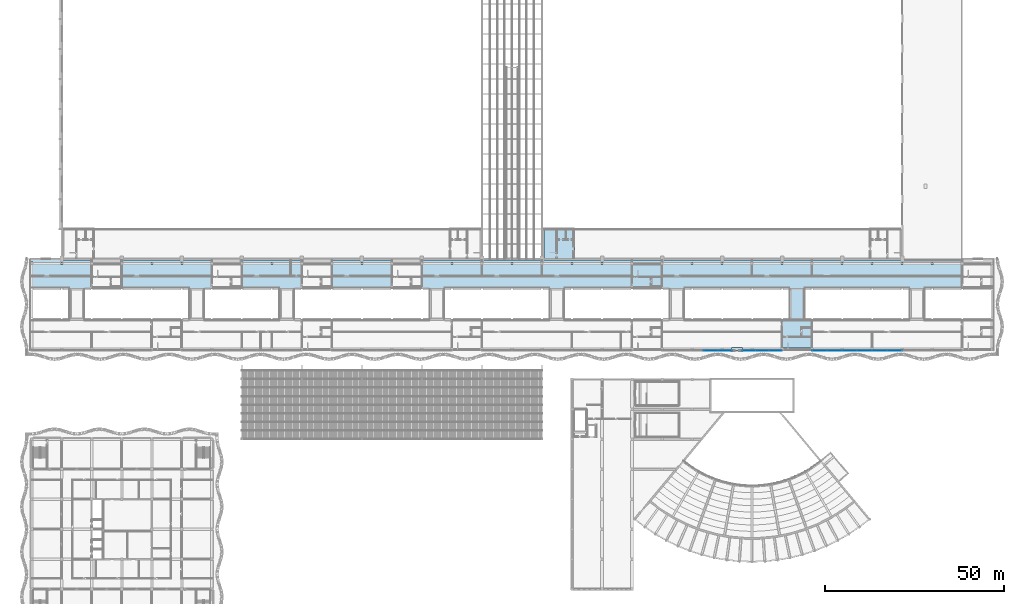
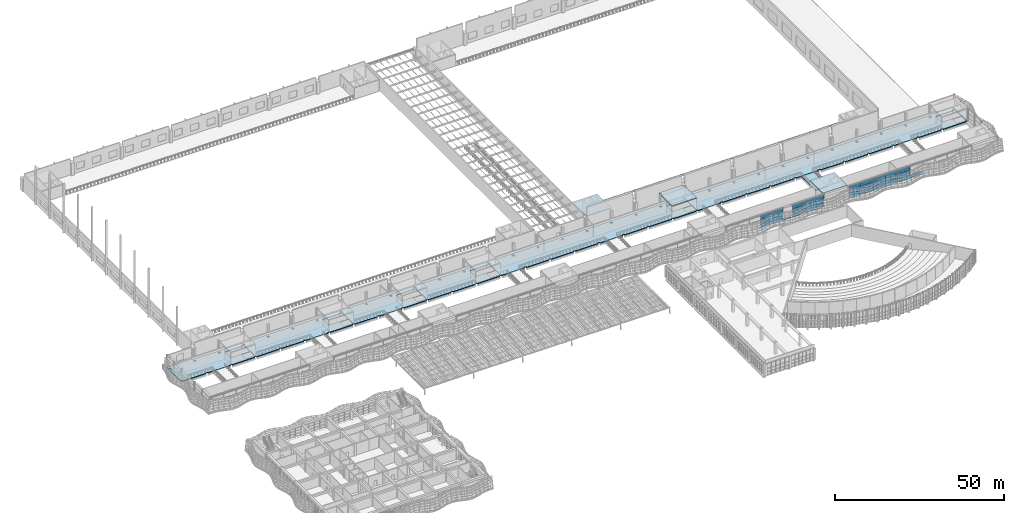
# One storey, part 75 of 162: 31 plates, 6 slabs, 3 elements without a shape of their own.
"""IFC4 building model written with IfcOpenShell, lengths in metres."""

from ifc_helpers import new_model, si_unit, direction, frame, origin, origin_2d, place, context, subcontext, project, spatial, polyline, rectangle, outline, extrude, material, layer, layer_set, type_object, element, aggregate, save


model = new_model("IFC4")

# Units and contexts
model_context = context("Model", 3, precision=1e-05, world=origin(), true_north=direction((0.0, 1.0)))
body_context = subcontext(model_context, "Body", "Model", "MODEL_VIEW")
ifc_project = project(units=[si_unit("LENGTHUNIT", "METRE"), si_unit("AREAUNIT", "SQUARE_METRE"), si_unit("VOLUMEUNIT", "CUBIC_METRE"), si_unit("PLANEANGLEUNIT", "RADIAN"), si_unit("MASSUNIT", "GRAM", prefix="KILO")], contexts=[model_context])

# Site, building, storey
site_placement = place(None, origin())
site = spatial("IfcSite", under=ifc_project, at=site_placement, CompositionType="ELEMENT")
building_placement = place(site_placement, origin())
building = spatial("IfcBuilding", under=site, at=building_placement, Name="Rain Tree Exposition and Congress Centre", CompositionType="ELEMENT")
storey_placement = place(building_placement, frame((0.0, 0.0, 6.0)))
storey = spatial("IfcBuildingStorey", under=building, at=storey_placement, Name="L01", CompositionType="ELEMENT", Elevation=6.0)

# Slabs
ifc_material_1 = material(Name="Precast concrete C50/60", Category="concrete")
ifc_layer_1 = layer(ifc_material_1, 0.300048828125)
ifc_layer_set_1 = layer_set([ifc_layer_1], Name="Precast concrete C50/60")
slab_type_1 = type_object("IfcSlabType", Name="Concourse bridge deck slab 300", PredefinedType="FLOOR", material=ifc_layer_set_1)
slab_1_placement = place(storey_placement, frame((0.0, 0.0, -0.300048828125)))
element("IfcSlab", 1, at=slab_1_placement, inside=storey, type_object=slab_type_1, Name="Concourse bridge deck 7", PredefinedType="FLOOR", context=body_context, shape_type="SweptSolid", body=[
    extrude(outline(polyline([(212.10009765625, 84.0), (216.300048828125, 84.0), (216.300048828125, 92.39990234375), (212.10009765625, 92.39990234375), (212.10009765625, 84.0)])), origin(), (0.0, 0.0, 1.0), 0.300048828125),
])
ifc_material_2 = material(Name="Concrete C40/50", Category="concrete")
ifc_layer_2 = layer(ifc_material_2, 0.300048828125)
ifc_layer_set_2 = layer_set([ifc_layer_2], Name="Concrete C40/50")
slab_type_2 = type_object("IfcSlabType", Name="Concourse core roof slab 300", PredefinedType="ROOF", material=ifc_layer_set_2)
slab_2_placement = place(storey_placement, frame((0.0, 0.0, 4.199951171875)))
element("IfcSlab", 2, at=slab_2_placement, inside=storey, type_object=slab_type_2, Name="Concourse core 5 roof", PredefinedType="ROOF", context=body_context, shape_type="SweptSolid", body=[
    extrude(outline(polyline([(218.425048828125, 83.699951171875), (218.425048828125, 75.949951171875), (218.050048828125, 75.949951171875), (210.35009765625, 75.949951171875), (209.97509765625, 75.949951171875), (209.97509765625, 83.699951171875), (218.425048828125, 83.699951171875)])), origin(), (0.0, 0.0, 1.0), 0.300048828125),
])
slab_3_placement = place(storey_placement, frame((0.0, 0.0, 4.199951171875)))
element("IfcSlab", 3, at=slab_3_placement, inside=storey, type_object=slab_type_2, Name="Concourse core 11 roof", PredefinedType="ROOF", context=body_context, shape_type="SweptSolid", body=[
    extrude(outline(polyline([(176.425048828125, 92.699951171875), (176.10009765625, 92.699951171875), (168.300048828125, 92.699951171875), (167.97509765625, 92.699951171875), (167.97509765625, 99.300048828125), (168.300048828125, 99.300048828125), (168.300048828125, 99.89990234375), (167.97509765625, 99.89990234375), (167.97509765625, 100.5), (176.425048828125, 100.5), (176.425048828125, 99.89990234375), (176.10009765625, 99.89990234375), (176.10009765625, 99.300048828125), (176.425048828125, 99.300048828125), (176.425048828125, 92.699951171875)])), origin(), (0.0, 0.0, 1.0), 0.300048828125),
])

# Curtain wall, plates
ifc_material_3 = material(Name="Aluminium curtain wall system", Category="aluminium")
ifc_layer_3 = layer(ifc_material_3, 0.10009765625)
ifc_layer_set_3 = layer_set([ifc_layer_3], Name="Aluminium curtain wall system")
curtain_wall_type = type_object("IfcCurtainWallType", Name="Concourse curtain wall 4200 module", PredefinedType="NOTDEFINED", material=ifc_layer_set_3)
curtain_wall_1_placement = place(storey_placement, origin())
curtain_wall_1 = element("IfcCurtainWall", 4, at=curtain_wall_1_placement, inside=storey, type_object=curtain_wall_type, Name="Concourse curtain wall CWC26", PredefinedType="NOTDEFINED")
ifc_material_4 = material(Name="Laminated low-e glass", Category="glass")
ifc_layer_4 = layer(ifc_material_4, 0.028076171875)
ifc_layer_set_4 = layer_set([ifc_layer_4], Name="Laminated low-e glass")
plate_type = type_object("IfcPlateType", Name="Concourse curtain wall glass panel 28", PredefinedType="CURTAIN_PANEL", material=ifc_layer_set_4)
plate_1_placement = place(storey_placement, frame((190.050048828125, 75.199951171875, 0.06005859375), z_axis=(0.0, 0.0, 1.0), x_axis=(1.0, 0.0, 0.0)))
plate_1 = element("IfcPlate", 5, at=plate_1_placement, type_object=plate_type, Name="CWC26 panel 4.1", PredefinedType="CURTAIN_PANEL", context=body_context, shape_type="SweptSolid", body=[
    extrude(rectangle(XDim=3.840087890625, YDim=0.028076171875, at=origin_2d()), origin(), (0.0, 0.0, 1.0), 1.409912109375),
])
plate_2_placement = place(storey_placement, frame((190.050048828125, 75.199951171875, 1.530029296875), z_axis=(0.0, 0.0, 1.0), x_axis=(1.0, 0.0, 0.0)))
plate_2 = element("IfcPlate", 6, at=plate_2_placement, type_object=plate_type, Name="CWC26 panel 4.2", PredefinedType="CURTAIN_PANEL", context=body_context, shape_type="SweptSolid", body=[
    extrude(rectangle(XDim=3.840087890625, YDim=0.028076171875, at=origin_2d()), origin(), (0.0, 0.0, 1.0), 1.43994140625),
])
plate_3_placement = place(storey_placement, frame((190.050048828125, 75.199951171875, 3.0302734375), z_axis=(0.0, 0.0, 1.0), x_axis=(1.0, 0.0, 0.0)))
plate_3 = element("IfcPlate", 7, at=plate_3_placement, type_object=plate_type, Name="CWC26 panel 4.3", PredefinedType="CURTAIN_PANEL", context=body_context, shape_type="SweptSolid", body=[
    extrude(rectangle(XDim=3.840087890625, YDim=0.028076171875, at=origin_2d()), origin(), (0.0, 0.0, 1.0), 1.409912109375),
])
plate_4_placement = place(storey_placement, frame((193.93505859375, 75.199951171875, 0.06005859375), z_axis=(0.0, 0.0, 1.0), x_axis=(1.0, 0.0, 0.0)))
plate_4 = element("IfcPlate", 8, at=plate_4_placement, type_object=plate_type, Name="CWC26 panel 5.1", PredefinedType="CURTAIN_PANEL", context=body_context, shape_type="SweptSolid", body=[
    extrude(rectangle(XDim=3.81005859375, YDim=0.028076171875, at=origin_2d()), origin(), (0.0, 0.0, 1.0), 1.409912109375),
])
plate_5_placement = place(storey_placement, frame((193.93505859375, 75.199951171875, 1.530029296875), z_axis=(0.0, 0.0, 1.0), x_axis=(1.0, 0.0, 0.0)))
plate_5 = element("IfcPlate", 9, at=plate_5_placement, type_object=plate_type, Name="CWC26 panel 5.2", PredefinedType="CURTAIN_PANEL", context=body_context, shape_type="SweptSolid", body=[
    extrude(rectangle(XDim=3.81005859375, YDim=0.028076171875, at=origin_2d()), origin(), (0.0, 0.0, 1.0), 1.43994140625),
])
plate_6_placement = place(storey_placement, frame((193.93505859375, 75.199951171875, 3.0302734375), z_axis=(0.0, 0.0, 1.0), x_axis=(1.0, 0.0, 0.0)))
plate_6 = element("IfcPlate", 10, at=plate_6_placement, type_object=plate_type, Name="CWC26 panel 5.3", PredefinedType="CURTAIN_PANEL", context=body_context, shape_type="SweptSolid", body=[
    extrude(rectangle(XDim=3.81005859375, YDim=0.028076171875, at=origin_2d()), origin(), (0.0, 0.0, 1.0), 1.409912109375),
])
aggregate(curtain_wall_1, [plate_1, plate_2, plate_3, plate_4, plate_5, plate_6])

curtain_wall_2_placement = place(storey_placement, origin())
curtain_wall_2 = element("IfcCurtainWall", 11, at=curtain_wall_2_placement, inside=storey, type_object=curtain_wall_type, Name="Concourse curtain wall CWC27", PredefinedType="NOTDEFINED")
plate_7_placement = place(storey_placement, frame((200.764892578125, 75.199951171875, 0.06005859375), z_axis=(0.0, 0.0, 1.0), x_axis=(1.0, 0.0, 0.0)))
plate_7 = element("IfcPlate", 12, at=plate_7_placement, type_object=plate_type, Name="CWC27 panel 1.1", PredefinedType="CURTAIN_PANEL", context=body_context, shape_type="SweptSolid", body=[
    extrude(rectangle(XDim=3.610107421875, YDim=0.028076171875, at=origin_2d()), origin(), (0.0, 0.0, 1.0), 1.409912109375),
])
plate_8_placement = place(storey_placement, frame((200.764892578125, 75.199951171875, 1.530029296875), z_axis=(0.0, 0.0, 1.0), x_axis=(1.0, 0.0, 0.0)))
plate_8 = element("IfcPlate", 13, at=plate_8_placement, type_object=plate_type, Name="CWC27 panel 1.2", PredefinedType="CURTAIN_PANEL", context=body_context, shape_type="SweptSolid", body=[
    extrude(rectangle(XDim=3.610107421875, YDim=0.028076171875, at=origin_2d()), origin(), (0.0, 0.0, 1.0), 1.43994140625),
])
plate_9_placement = place(storey_placement, frame((200.764892578125, 75.199951171875, 3.0302734375), z_axis=(0.0, 0.0, 1.0), x_axis=(1.0, 0.0, 0.0)))
plate_9 = element("IfcPlate", 14, at=plate_9_placement, type_object=plate_type, Name="CWC27 panel 1.3", PredefinedType="CURTAIN_PANEL", context=body_context, shape_type="SweptSolid", body=[
    extrude(rectangle(XDim=3.610107421875, YDim=0.028076171875, at=origin_2d()), origin(), (0.0, 0.0, 1.0), 1.409912109375),
])
plate_10_placement = place(storey_placement, frame((204.449951171875, 75.199951171875, 0.06005859375), z_axis=(0.0, 0.0, 1.0), x_axis=(1.0, 0.0, 0.0)))
plate_10 = element("IfcPlate", 15, at=plate_10_placement, type_object=plate_type, Name="CWC27 panel 2.1", PredefinedType="CURTAIN_PANEL", context=body_context, shape_type="SweptSolid", body=[
    extrude(rectangle(XDim=3.639892578125, YDim=0.028076171875, at=origin_2d()), origin(), (0.0, 0.0, 1.0), 1.409912109375),
])
plate_11_placement = place(storey_placement, frame((204.449951171875, 75.199951171875, 1.530029296875), z_axis=(0.0, 0.0, 1.0), x_axis=(1.0, 0.0, 0.0)))
plate_11 = element("IfcPlate", 16, at=plate_11_placement, type_object=plate_type, Name="CWC27 panel 2.2", PredefinedType="CURTAIN_PANEL", context=body_context, shape_type="SweptSolid", body=[
    extrude(rectangle(XDim=3.639892578125, YDim=0.028076171875, at=origin_2d()), origin(), (0.0, 0.0, 1.0), 1.43994140625),
])
plate_12_placement = place(storey_placement, frame((204.449951171875, 75.199951171875, 3.0302734375), z_axis=(0.0, 0.0, 1.0), x_axis=(1.0, 0.0, 0.0)))
plate_12 = element("IfcPlate", 17, at=plate_12_placement, type_object=plate_type, Name="CWC27 panel 2.3", PredefinedType="CURTAIN_PANEL", context=body_context, shape_type="SweptSolid", body=[
    extrude(rectangle(XDim=3.639892578125, YDim=0.028076171875, at=origin_2d()), origin(), (0.0, 0.0, 1.0), 1.409912109375),
])
plate_13_placement = place(storey_placement, frame((208.135009765625, 75.199951171875, 0.06005859375), z_axis=(0.0, 0.0, 1.0), x_axis=(1.0, 0.0, 0.0)))
plate_13 = element("IfcPlate", 18, at=plate_13_placement, type_object=plate_type, Name="CWC27 panel 3.1", PredefinedType="CURTAIN_PANEL", context=body_context, shape_type="SweptSolid", body=[
    extrude(rectangle(XDim=3.610107421875, YDim=0.028076171875, at=origin_2d()), origin(), (0.0, 0.0, 1.0), 1.409912109375),
])
plate_14_placement = place(storey_placement, frame((208.135009765625, 75.199951171875, 1.530029296875), z_axis=(0.0, 0.0, 1.0), x_axis=(1.0, 0.0, 0.0)))
plate_14 = element("IfcPlate", 19, at=plate_14_placement, type_object=plate_type, Name="CWC27 panel 3.2", PredefinedType="CURTAIN_PANEL", context=body_context, shape_type="SweptSolid", body=[
    extrude(rectangle(XDim=3.610107421875, YDim=0.028076171875, at=origin_2d()), origin(), (0.0, 0.0, 1.0), 1.43994140625),
])
plate_15_placement = place(storey_placement, frame((208.135009765625, 75.199951171875, 3.0302734375), z_axis=(0.0, 0.0, 1.0), x_axis=(1.0, 0.0, 0.0)))
plate_15 = element("IfcPlate", 20, at=plate_15_placement, type_object=plate_type, Name="CWC27 panel 3.3", PredefinedType="CURTAIN_PANEL", context=body_context, shape_type="SweptSolid", body=[
    extrude(rectangle(XDim=3.610107421875, YDim=0.028076171875, at=origin_2d()), origin(), (0.0, 0.0, 1.0), 1.409912109375),
])
aggregate(curtain_wall_2, [plate_7, plate_8, plate_9, plate_10, plate_11, plate_12, plate_13, plate_14, plate_15])

curtain_wall_3_placement = place(storey_placement, origin())
curtain_wall_3 = element("IfcCurtainWall", 21, at=curtain_wall_3_placement, inside=storey, type_object=curtain_wall_type, Name="Concourse curtain wall CWC28", PredefinedType="NOTDEFINED")
plate_16_placement = place(storey_placement, frame((220.514892578125, 75.199951171875, 0.06005859375), z_axis=(0.0, 0.0, 1.0), x_axis=(1.0, 0.0, 0.0)))
plate_16 = element("IfcPlate", 22, at=plate_16_placement, type_object=plate_type, Name="CWC28 panel 1.1", PredefinedType="CURTAIN_PANEL", context=body_context, shape_type="SweptSolid", body=[
    extrude(rectangle(XDim=4.110107421875, YDim=0.028076171875, at=origin_2d()), origin(), (0.0, 0.0, 1.0), 1.409912109375),
])
plate_17_placement = place(storey_placement, frame((220.514892578125, 75.199951171875, 1.530029296875), z_axis=(0.0, 0.0, 1.0), x_axis=(1.0, 0.0, 0.0)))
plate_17 = element("IfcPlate", 23, at=plate_17_placement, type_object=plate_type, Name="CWC28 panel 1.2", PredefinedType="CURTAIN_PANEL", context=body_context, shape_type="SweptSolid", body=[
    extrude(rectangle(XDim=4.110107421875, YDim=0.028076171875, at=origin_2d()), origin(), (0.0, 0.0, 1.0), 1.43994140625),
])
plate_18_placement = place(storey_placement, frame((220.514892578125, 75.199951171875, 3.0302734375), z_axis=(0.0, 0.0, 1.0), x_axis=(1.0, 0.0, 0.0)))
plate_18 = element("IfcPlate", 24, at=plate_18_placement, type_object=plate_type, Name="CWC28 panel 1.3", PredefinedType="CURTAIN_PANEL", context=body_context, shape_type="SweptSolid", body=[
    extrude(rectangle(XDim=4.110107421875, YDim=0.028076171875, at=origin_2d()), origin(), (0.0, 0.0, 1.0), 1.409912109375),
])
plate_19_placement = place(storey_placement, frame((224.699951171875, 75.199951171875, 0.06005859375), z_axis=(0.0, 0.0, 1.0), x_axis=(1.0, 0.0, 0.0)))
plate_19 = element("IfcPlate", 25, at=plate_19_placement, type_object=plate_type, Name="CWC28 panel 2.1", PredefinedType="CURTAIN_PANEL", context=body_context, shape_type="SweptSolid", body=[
    extrude(rectangle(XDim=4.139892578125, YDim=0.028076171875, at=origin_2d()), origin(), (0.0, 0.0, 1.0), 1.409912109375),
])
plate_20_placement = place(storey_placement, frame((224.699951171875, 75.199951171875, 1.530029296875), z_axis=(0.0, 0.0, 1.0), x_axis=(1.0, 0.0, 0.0)))
plate_20 = element("IfcPlate", 26, at=plate_20_placement, type_object=plate_type, Name="CWC28 panel 2.2", PredefinedType="CURTAIN_PANEL", context=body_context, shape_type="SweptSolid", body=[
    extrude(rectangle(XDim=4.139892578125, YDim=0.028076171875, at=origin_2d()), origin(), (0.0, 0.0, 1.0), 1.43994140625),
])
plate_21_placement = place(storey_placement, frame((224.699951171875, 75.199951171875, 3.0302734375), z_axis=(0.0, 0.0, 1.0), x_axis=(1.0, 0.0, 0.0)))
plate_21 = element("IfcPlate", 27, at=plate_21_placement, type_object=plate_type, Name="CWC28 panel 2.3", PredefinedType="CURTAIN_PANEL", context=body_context, shape_type="SweptSolid", body=[
    extrude(rectangle(XDim=4.139892578125, YDim=0.028076171875, at=origin_2d()), origin(), (0.0, 0.0, 1.0), 1.409912109375),
])
plate_22_placement = place(storey_placement, frame((228.89990234375, 75.199951171875, 0.06005859375), z_axis=(0.0, 0.0, 1.0), x_axis=(1.0, 0.0, 0.0)))
plate_22 = element("IfcPlate", 28, at=plate_22_placement, type_object=plate_type, Name="CWC28 panel 3.1", PredefinedType="CURTAIN_PANEL", context=body_context, shape_type="SweptSolid", body=[
    extrude(rectangle(XDim=4.139892578125, YDim=0.028076171875, at=origin_2d()), origin(), (0.0, 0.0, 1.0), 1.409912109375),
])
plate_23_placement = place(storey_placement, frame((228.89990234375, 75.199951171875, 1.530029296875), z_axis=(0.0, 0.0, 1.0), x_axis=(1.0, 0.0, 0.0)))
plate_23 = element("IfcPlate", 29, at=plate_23_placement, type_object=plate_type, Name="CWC28 panel 3.2", PredefinedType="CURTAIN_PANEL", context=body_context, shape_type="SweptSolid", body=[
    extrude(rectangle(XDim=4.139892578125, YDim=0.028076171875, at=origin_2d()), origin(), (0.0, 0.0, 1.0), 1.43994140625),
])
plate_24_placement = place(storey_placement, frame((228.89990234375, 75.199951171875, 3.0302734375), z_axis=(0.0, 0.0, 1.0), x_axis=(1.0, 0.0, 0.0)))
plate_24 = element("IfcPlate", 30, at=plate_24_placement, type_object=plate_type, Name="CWC28 panel 3.3", PredefinedType="CURTAIN_PANEL", context=body_context, shape_type="SweptSolid", body=[
    extrude(rectangle(XDim=4.139892578125, YDim=0.028076171875, at=origin_2d()), origin(), (0.0, 0.0, 1.0), 1.409912109375),
])
plate_25_placement = place(storey_placement, frame((233.10009765625, 75.199951171875, 0.06005859375), z_axis=(0.0, 0.0, 1.0), x_axis=(1.0, 0.0, 0.0)))
plate_25 = element("IfcPlate", 31, at=plate_25_placement, type_object=plate_type, Name="CWC28 panel 4.1", PredefinedType="CURTAIN_PANEL", context=body_context, shape_type="SweptSolid", body=[
    extrude(rectangle(XDim=4.139892578125, YDim=0.028076171875, at=origin_2d()), origin(), (0.0, 0.0, 1.0), 1.409912109375),
])
plate_26_placement = place(storey_placement, frame((233.10009765625, 75.199951171875, 1.530029296875), z_axis=(0.0, 0.0, 1.0), x_axis=(1.0, 0.0, 0.0)))
plate_26 = element("IfcPlate", 32, at=plate_26_placement, type_object=plate_type, Name="CWC28 panel 4.2", PredefinedType="CURTAIN_PANEL", context=body_context, shape_type="SweptSolid", body=[
    extrude(rectangle(XDim=4.139892578125, YDim=0.028076171875, at=origin_2d()), origin(), (0.0, 0.0, 1.0), 1.43994140625),
])
plate_27_placement = place(storey_placement, frame((233.10009765625, 75.199951171875, 3.0302734375), z_axis=(0.0, 0.0, 1.0), x_axis=(1.0, 0.0, 0.0)))
plate_27 = element("IfcPlate", 33, at=plate_27_placement, type_object=plate_type, Name="CWC28 panel 4.3", PredefinedType="CURTAIN_PANEL", context=body_context, shape_type="SweptSolid", body=[
    extrude(rectangle(XDim=4.139892578125, YDim=0.028076171875, at=origin_2d()), origin(), (0.0, 0.0, 1.0), 1.409912109375),
])
plate_28_placement = place(storey_placement, frame((237.300048828125, 75.199951171875, 0.06005859375), z_axis=(0.0, 0.0, 1.0), x_axis=(1.0, 0.0, 0.0)))
plate_28 = element("IfcPlate", 34, at=plate_28_placement, type_object=plate_type, Name="CWC28 panel 5.1", PredefinedType="CURTAIN_PANEL", context=body_context, shape_type="SweptSolid", body=[
    extrude(rectangle(XDim=4.139892578125, YDim=0.028076171875, at=origin_2d()), origin(), (0.0, 0.0, 1.0), 1.409912109375),
])
plate_29_placement = place(storey_placement, frame((237.300048828125, 75.199951171875, 1.530029296875), z_axis=(0.0, 0.0, 1.0), x_axis=(1.0, 0.0, 0.0)))
plate_29 = element("IfcPlate", 35, at=plate_29_placement, type_object=plate_type, Name="CWC28 panel 5.2", PredefinedType="CURTAIN_PANEL", context=body_context, shape_type="SweptSolid", body=[
    extrude(rectangle(XDim=4.139892578125, YDim=0.028076171875, at=origin_2d()), origin(), (0.0, 0.0, 1.0), 1.43994140625),
])
plate_30_placement = place(storey_placement, frame((237.300048828125, 75.199951171875, 3.0302734375), z_axis=(0.0, 0.0, 1.0), x_axis=(1.0, 0.0, 0.0)))
plate_30 = element("IfcPlate", 36, at=plate_30_placement, type_object=plate_type, Name="CWC28 panel 5.3", PredefinedType="CURTAIN_PANEL", context=body_context, shape_type="SweptSolid", body=[
    extrude(rectangle(XDim=4.139892578125, YDim=0.028076171875, at=origin_2d()), origin(), (0.0, 0.0, 1.0), 1.409912109375),
])
plate_31_placement = place(storey_placement, frame((241.5, 75.199951171875, 0.06005859375), z_axis=(0.0, 0.0, 1.0), x_axis=(1.0, 0.0, 0.0)))
plate_31 = element("IfcPlate", 37, at=plate_31_placement, type_object=plate_type, Name="CWC28 panel 6.1", PredefinedType="CURTAIN_PANEL", context=body_context, shape_type="SweptSolid", body=[
    extrude(rectangle(XDim=4.139892578125, YDim=0.028076171875, at=origin_2d()), origin(), (0.0, 0.0, 1.0), 1.409912109375),
])
aggregate(curtain_wall_3, [plate_16, plate_17, plate_18, plate_19, plate_20, plate_21, plate_22, plate_23, plate_24, plate_25, plate_26, plate_27, plate_28, plate_29, plate_30, plate_31])

# Slabs
ifc_material_5 = material(Name="Precast concrete C50/60", Category="concrete")
ifc_layer_5 = layer(ifc_material_5, 0.300048828125)
ifc_layer_set_5 = layer_set([ifc_layer_5], Name="Precast concrete C50/60")
slab_type_3 = type_object("IfcSlabType", Name="Concourse hollow-core floor slab 300", PredefinedType="FLOOR", material=ifc_layer_set_5)
slab_4_placement = place(storey_placement, frame((0.0, 0.0, -0.300048828125)))
element("IfcSlab", 38, at=slab_4_placement, inside=storey, type_object=slab_type_3, Name="Concourse L01 floor north gallery", PredefinedType="FLOOR", context=body_context, shape_type="SweptSolid", body=[
    extrude(outline(polyline([(260.699951171875, 92.39990234375), (260.699951171875, 92.699951171875), (260.10009765625, 92.699951171875), (260.10009765625, 92.39990234375), (252.300048828125, 92.39990234375), (252.300048828125, 92.699951171875), (251.699951171875, 92.699951171875), (251.699951171875, 92.39990234375), (243.89990234375, 92.39990234375), (243.89990234375, 92.699951171875), (243.300048828125, 92.699951171875), (243.300048828125, 92.39990234375), (235.5, 92.39990234375), (235.5, 92.699951171875), (234.89990234375, 92.699951171875), (234.89990234375, 92.39990234375), (227.10009765625, 92.39990234375), (227.10009765625, 92.699951171875), (226.5, 92.699951171875), (226.5, 92.39990234375), (218.699951171875, 92.39990234375), (218.699951171875, 92.699951171875), (218.10009765625, 92.699951171875), (218.10009765625, 92.39990234375), (210.300048828125, 92.39990234375), (210.300048828125, 92.699951171875), (209.699951171875, 92.699951171875), (209.699951171875, 92.39990234375), (201.89990234375, 92.39990234375), (201.89990234375, 92.699951171875), (201.300048828125, 92.699951171875), (201.300048828125, 92.39990234375), (193.5, 92.39990234375), (193.5, 92.699951171875), (192.89990234375, 92.699951171875), (192.89990234375, 92.39990234375), (185.10009765625, 92.39990234375), (185.10009765625, 92.699951171875), (184.5, 92.699951171875), (184.5, 92.39990234375), (176.699951171875, 92.39990234375), (176.699951171875, 92.699951171875), (176.10009765625, 92.699951171875), (176.10009765625, 92.39990234375), (168.300048828125, 92.39990234375), (168.300048828125, 92.699951171875), (167.699951171875, 92.699951171875), (167.699951171875, 92.39990234375), (159.89990234375, 92.39990234375), (159.89990234375, 92.699951171875), (159.300048828125, 92.699951171875), (159.300048828125, 92.39990234375), (151.5, 92.39990234375), (151.5, 92.699951171875), (150.89990234375, 92.699951171875), (150.89990234375, 92.39990234375), (143.10009765625, 92.39990234375), (143.10009765625, 92.699951171875), (142.5, 92.699951171875), (142.5, 92.39990234375), (134.699951171875, 92.39990234375), (134.699951171875, 92.699951171875), (134.10009765625, 92.699951171875), (134.10009765625, 92.39990234375), (126.300048828125, 92.39990234375), (126.300048828125, 92.699951171875), (125.699951171875, 92.699951171875), (125.699951171875, 92.39990234375), (117.89990234375, 92.39990234375), (117.89990234375, 92.699951171875), (117.300048828125, 92.699951171875), (117.300048828125, 92.39990234375), (109.5, 92.39990234375), (109.5, 92.699951171875), (108.89990234375, 92.699951171875), (108.89990234375, 92.39990234375), (101.10009765625, 92.39990234375), (101.10009765625, 92.699951171875), (100.5, 92.699951171875), (100.5, 92.39990234375), (92.699951171875, 92.39990234375), (92.699951171875, 92.699951171875), (92.10009765625, 92.699951171875), (92.10009765625, 92.39990234375), (84.300048828125, 92.39990234375), (84.300048828125, 92.699951171875), (83.699951171875, 92.699951171875), (83.699951171875, 92.39990234375), (75.89990234375, 92.39990234375), (75.89990234375, 92.699951171875), (75.300048828125, 92.699951171875), (75.300048828125, 92.39990234375), (67.5, 92.39990234375), (67.5, 92.699951171875), (66.89990234375, 92.699951171875), (66.89990234375, 92.39990234375), (59.10009765625, 92.39990234375), (59.10009765625, 92.699951171875), (58.5, 92.699951171875), (58.5, 92.39990234375), (50.699951171875, 92.39990234375), (50.699951171875, 92.699951171875), (50.10009765625, 92.699951171875), (50.10009765625, 92.39990234375), (42.300048828125, 92.39990234375), (42.300048828125, 92.699951171875), (41.699951171875, 92.699951171875), (41.699951171875, 92.39990234375), (33.89990234375, 92.39990234375), (33.89990234375, 92.699951171875), (33.300048828125, 92.699951171875), (33.300048828125, 92.39990234375), (25.5, 92.39990234375), (25.5, 92.699951171875), (24.89990234375, 92.699951171875), (24.89990234375, 92.39990234375), (17.10009765625, 92.39990234375), (17.10009765625, 92.699951171875), (16.5, 92.699951171875), (16.5, 92.39990234375), (8.699951171875, 92.39990234375), (8.699951171875, 92.699951171875), (8.10009765625, 92.699951171875), (8.10009765625, 92.39990234375), (0.35009765625, 92.39990234375), (0.35009765625, 92.75), (-0.35009765625, 92.75), (-0.35009765625, 99.25), (0.35009765625, 99.25), (0.35009765625, 99.949951171875), (-0.35009765625, 99.949951171875), (-0.35009765625, 100.60009765625), (-0.35009765625, 101.0), (8.199951171875, 101.0), (8.199951171875, 100.60009765625), (260.60009765625, 100.60009765625), (260.60009765625, 101.0), (269.14990234375, 101.0), (269.14990234375, 100.60009765625), (269.14990234375, 99.949951171875), (268.449951171875, 99.949951171875), (268.449951171875, 99.25), (262.110107421875, 99.25), (262.110107421875, 95.800048828125), (268.75, 95.800048828125), (268.75, 99.25), (269.14990234375, 99.25), (269.14990234375, 92.75), (268.449951171875, 92.75), (268.449951171875, 92.39990234375), (260.699951171875, 92.39990234375)]), holes=[polyline([(265.699951171875, 93.050048828125), (268.800048828125, 93.050048828125), (268.800048828125, 95.64990234375), (265.699951171875, 95.64990234375), (265.699951171875, 93.050048828125)]), polyline([(260.10009765625, 99.89990234375), (260.10009765625, 99.300048828125), (260.699951171875, 99.300048828125), (260.699951171875, 99.89990234375), (260.10009765625, 99.89990234375)]), polyline([(251.699951171875, 99.300048828125), (252.300048828125, 99.300048828125), (252.300048828125, 99.89990234375), (251.699951171875, 99.89990234375), (251.699951171875, 99.300048828125)]), polyline([(243.300048828125, 99.300048828125), (243.89990234375, 99.300048828125), (243.89990234375, 99.89990234375), (243.300048828125, 99.89990234375), (243.300048828125, 99.300048828125)]), polyline([(234.89990234375, 99.89990234375), (234.89990234375, 99.300048828125), (235.5, 99.300048828125), (235.5, 99.89990234375), (234.89990234375, 99.89990234375)]), polyline([(226.5, 99.300048828125), (227.10009765625, 99.300048828125), (227.10009765625, 99.89990234375), (226.5, 99.89990234375), (226.5, 99.300048828125)]), polyline([(218.10009765625, 99.89990234375), (218.10009765625, 99.300048828125), (218.699951171875, 99.300048828125), (218.699951171875, 99.89990234375), (218.10009765625, 99.89990234375)]), polyline([(209.699951171875, 99.300048828125), (210.300048828125, 99.300048828125), (210.300048828125, 99.89990234375), (209.699951171875, 99.89990234375), (209.699951171875, 99.300048828125)]), polyline([(201.300048828125, 99.300048828125), (201.89990234375, 99.300048828125), (201.89990234375, 99.89990234375), (201.300048828125, 99.89990234375), (201.300048828125, 99.300048828125)]), polyline([(192.89990234375, 99.300048828125), (193.5, 99.300048828125), (193.5, 99.89990234375), (192.89990234375, 99.89990234375), (192.89990234375, 99.300048828125)]), polyline([(184.5, 99.89990234375), (184.5, 99.300048828125), (185.10009765625, 99.300048828125), (185.10009765625, 99.89990234375), (184.5, 99.89990234375)]), polyline([(176.10009765625, 99.89990234375), (176.10009765625, 99.300048828125), (176.699951171875, 99.300048828125), (176.699951171875, 99.89990234375), (176.10009765625, 99.89990234375)]), polyline([(173.300048828125, 95.64990234375), (173.300048828125, 93.050048828125), (176.39990234375, 93.050048828125), (176.39990234375, 95.64990234375), (173.300048828125, 95.64990234375)]), polyline([(169.7099609375, 95.800048828125), (176.35009765625, 95.800048828125), (176.35009765625, 99.25), (169.7099609375, 99.25), (169.7099609375, 95.800048828125)]), polyline([(167.699951171875, 99.300048828125), (168.300048828125, 99.300048828125), (168.300048828125, 99.89990234375), (167.699951171875, 99.89990234375), (167.699951171875, 99.300048828125)]), polyline([(159.300048828125, 99.300048828125), (159.89990234375, 99.300048828125), (159.89990234375, 99.89990234375), (159.300048828125, 99.89990234375), (159.300048828125, 99.300048828125)]), polyline([(150.89990234375, 99.89990234375), (150.89990234375, 99.300048828125), (151.5, 99.300048828125), (151.5, 99.89990234375), (150.89990234375, 99.89990234375)]), polyline([(142.5, 99.300048828125), (143.10009765625, 99.300048828125), (143.10009765625, 99.89990234375), (142.5, 99.89990234375), (142.5, 99.300048828125)]), polyline([(134.10009765625, 99.300048828125), (134.699951171875, 99.300048828125), (134.699951171875, 99.89990234375), (134.10009765625, 99.89990234375), (134.10009765625, 99.300048828125)]), polyline([(125.699951171875, 99.300048828125), (126.300048828125, 99.300048828125), (126.300048828125, 99.89990234375), (125.699951171875, 99.89990234375), (125.699951171875, 99.300048828125)]), polyline([(117.300048828125, 99.300048828125), (117.89990234375, 99.300048828125), (117.89990234375, 99.89990234375), (117.300048828125, 99.89990234375), (117.300048828125, 99.300048828125)]), polyline([(108.89990234375, 99.300048828125), (109.5, 99.300048828125), (109.5, 99.89990234375), (108.89990234375, 99.89990234375), (108.89990234375, 99.300048828125)]), polyline([(106.10009765625, 95.64990234375), (106.10009765625, 93.050048828125), (109.199951171875, 93.050048828125), (109.199951171875, 95.64990234375), (106.10009765625, 95.64990234375)]), polyline([(102.510009765625, 95.800048828125), (109.14990234375, 95.800048828125), (109.14990234375, 99.25), (102.510009765625, 99.25), (102.510009765625, 95.800048828125)]), polyline([(100.5, 99.89990234375), (100.5, 99.300048828125), (101.10009765625, 99.300048828125), (101.10009765625, 99.89990234375), (100.5, 99.89990234375)]), polyline([(92.10009765625, 99.300048828125), (92.699951171875, 99.300048828125), (92.699951171875, 99.89990234375), (92.10009765625, 99.89990234375), (92.10009765625, 99.300048828125)]), polyline([(83.699951171875, 99.89990234375), (83.699951171875, 99.300048828125), (84.300048828125, 99.300048828125), (84.300048828125, 99.89990234375), (83.699951171875, 99.89990234375)]), polyline([(80.89990234375, 95.64990234375), (80.89990234375, 93.050048828125), (84.0, 93.050048828125), (84.0, 95.64990234375), (80.89990234375, 95.64990234375)]), polyline([(77.31005859375, 95.800048828125), (83.949951171875, 95.800048828125), (83.949951171875, 99.25), (77.31005859375, 99.25), (77.31005859375, 95.800048828125)]), polyline([(75.300048828125, 99.89990234375), (75.300048828125, 99.300048828125), (75.89990234375, 99.300048828125), (75.89990234375, 99.89990234375), (75.300048828125, 99.89990234375)]), polyline([(66.89990234375, 99.89990234375), (66.89990234375, 99.300048828125), (67.5, 99.300048828125), (67.5, 99.89990234375), (66.89990234375, 99.89990234375)]), polyline([(58.5, 99.300048828125), (59.10009765625, 99.300048828125), (59.10009765625, 99.89990234375), (58.5, 99.89990234375), (58.5, 99.300048828125)]), polyline([(55.699951171875, 93.050048828125), (58.800048828125, 93.050048828125), (58.800048828125, 95.64990234375), (55.699951171875, 95.64990234375), (55.699951171875, 93.050048828125)]), polyline([(52.110107421875, 95.800048828125), (58.75, 95.800048828125), (58.75, 99.25), (52.110107421875, 99.25), (52.110107421875, 95.800048828125)]), polyline([(50.10009765625, 99.300048828125), (50.699951171875, 99.300048828125), (50.699951171875, 99.89990234375), (50.10009765625, 99.89990234375), (50.10009765625, 99.300048828125)]), polyline([(41.699951171875, 99.300048828125), (42.300048828125, 99.300048828125), (42.300048828125, 99.89990234375), (41.699951171875, 99.89990234375), (41.699951171875, 99.300048828125)]), polyline([(33.300048828125, 99.300048828125), (33.89990234375, 99.300048828125), (33.89990234375, 99.89990234375), (33.300048828125, 99.89990234375), (33.300048828125, 99.300048828125)]), polyline([(24.89990234375, 99.89990234375), (24.89990234375, 99.300048828125), (25.5, 99.300048828125), (25.5, 99.89990234375), (24.89990234375, 99.89990234375)]), polyline([(22.10009765625, 93.050048828125), (25.199951171875, 93.050048828125), (25.199951171875, 95.64990234375), (22.10009765625, 95.64990234375), (22.10009765625, 93.050048828125)]), polyline([(18.510009765625, 99.25), (18.510009765625, 95.800048828125), (25.14990234375, 95.800048828125), (25.14990234375, 99.25), (18.510009765625, 99.25)]), polyline([(16.5, 99.89990234375), (16.5, 99.300048828125), (17.10009765625, 99.300048828125), (17.10009765625, 99.89990234375), (16.5, 99.89990234375)]), polyline([(8.10009765625, 99.300048828125), (8.699951171875, 99.300048828125), (8.699951171875, 99.89990234375), (8.10009765625, 99.89990234375), (8.10009765625, 99.300048828125)])]), origin(), (0.0, 0.0, 1.0), 0.300048828125),
])
ifc_material_6 = material(Name="Concrete C40/50", Category="concrete")
ifc_layer_6 = layer(ifc_material_6, 0.10009765625)
ifc_layer_set_6 = layer_set([ifc_layer_6], Name="Concrete C40/50")
slab_type_4 = type_object("IfcSlabType", Name="Concourse terrace threshold plate 100", PredefinedType="FLOOR", material=ifc_layer_set_6)
slab_5_placement = place(storey_placement, origin())
element("IfcSlab", 39, at=slab_5_placement, inside=storey, type_object=slab_type_4, Name="Concourse terrace threshold", PredefinedType="FLOOR", context=body_context, shape_type="SweptSolid", body=[
    extrude(outline(polyline([(198.89990234375, 75.25), (195.89990234375, 75.25), (195.89990234375, 76.0), (198.89990234375, 76.0), (198.89990234375, 75.25)])), origin(), (0.0, 0.0, 1.0), 0.10009765625),
])
ifc_material_7 = material(Name="Concrete C40/50", Category="concrete")
ifc_layer_7 = layer(ifc_material_7, 0.300048828125)
ifc_layer_set_7 = layer_set([ifc_layer_7], Name="Concrete C40/50")
slab_type_5 = type_object("IfcSlabType", Name="Core roof slab 300", PredefinedType="ROOF", material=ifc_layer_set_7)
slab_6_placement = place(storey_placement, frame((0.0, 0.0, 4.10009765625)))
element("IfcSlab", 40, at=slab_6_placement, inside=storey, type_object=slab_type_5, Name="Core roof 5", PredefinedType="ROOF", context=body_context, shape_type="SweptSolid", body=[
    extrude(outline(polyline([(151.824951171875, 101.0), (151.824951171875, 109.324951171875), (143.300048828125, 109.324951171875), (143.300048828125, 101.0), (151.824951171875, 101.0)])), origin(), (0.0, 0.0, 1.0), 0.2998046875),
])

save(model, "model.ifc")
